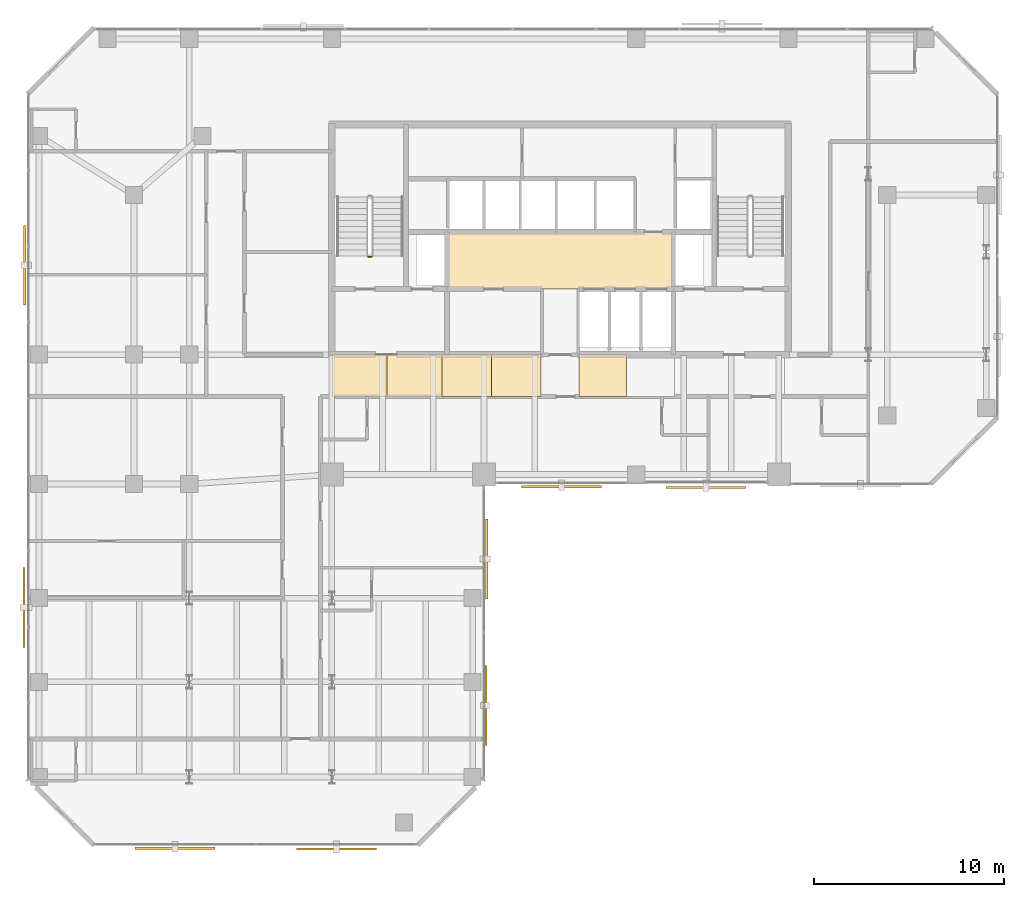
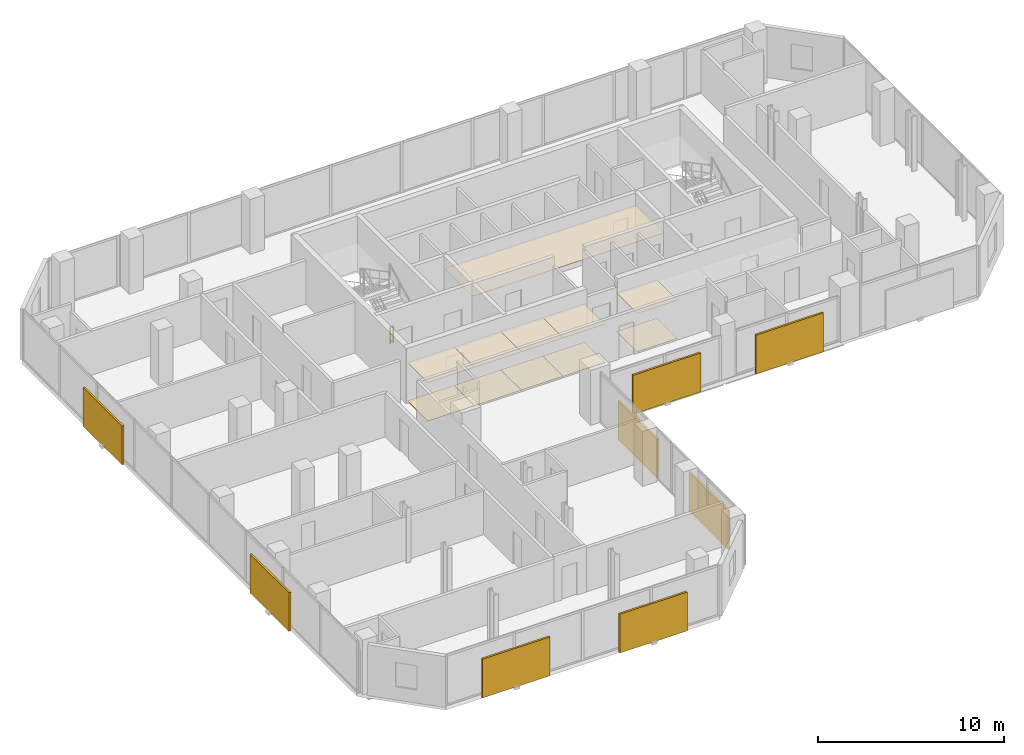
# One storey, part 32 of 33: 11 coverings, 8 shading devices, 1 railing.
"""IFC4 building model written with IfcOpenShell, lengths in metres."""

from ifc_helpers import new_model, si_unit, direction, frame, origin, origin_2d, place, context, subcontext, project, spatial, polyline, rectangle, circle, outline, extrude, material, layer, layer_set, type_object, element, save


model = new_model("IFC4")

# Units and contexts
model_context = context("Model", 3, precision=1e-05, world=origin(), true_north=direction((0.0, 1.0)))
body_context = subcontext(model_context, "Body", "Model", "MODEL_VIEW")
ifc_project = project(units=[si_unit("LENGTHUNIT", "METRE"), si_unit("AREAUNIT", "SQUARE_METRE"), si_unit("VOLUMEUNIT", "CUBIC_METRE"), si_unit("PLANEANGLEUNIT", "RADIAN"), si_unit("MASSUNIT", "GRAM", prefix="KILO")], contexts=[model_context])

# Site, building, storey
site_placement = place(None, origin())
site = spatial("IfcSite", under=ifc_project, at=site_placement, CompositionType="ELEMENT")
building_placement = place(site_placement, origin())
building = spatial("IfcBuilding", under=site, at=building_placement, Name="Catumbela Crestline Tower", CompositionType="ELEMENT")
storey_placement = place(building_placement, frame((0.0, 0.0, 104.4)))
storey = spatial("IfcBuildingStorey", under=building, at=storey_placement, Name="L26", CompositionType="ELEMENT", Elevation=104.4)

# Coverings
ifc_material_1 = material(Name="Mineral-fibre acoustic ceiling")
ifc_layer_1 = layer(ifc_material_1, 0.03, Name="Mineral-fibre acoustic ceiling")
ifc_layer_set_1 = layer_set([ifc_layer_1], Name="Mineral-fibre acoustic ceiling")
covering_type_1 = type_object("IfcCoveringType", Name="CC-AC", PredefinedType="CEILING", material=ifc_layer_set_1)
covering_1_placement = place(storey_placement, frame((0.0, 0.0, 2.65)))
element("IfcCovering", 1, at=covering_1_placement, inside=storey, type_object=covering_type_1, Name="L26 Lift Lobby Acoustic Ceiling", PredefinedType="CEILING", context=body_context, shape_type="SweptSolid", body=[
    extrude(outline(polyline([(22.05, 34.25), (33.95, 34.25), (33.95, 37.25), (22.05, 37.25), (22.05, 34.25)])), origin(), (0.0, 0.0, 1.0), 0.03),
])
covering_2_placement = place(storey_placement, frame((0.0, 0.0, 2.52)))
element("IfcCovering", 2, at=covering_2_placement, inside=storey, type_object=covering_type_1, Name="L26 Corridor Acoustic Ceiling Bay 1", PredefinedType="CEILING", context=body_context, shape_type="SweptSolid", body=[
    extrude(outline(polyline([(16.0, 28.6), (18.9, 28.6), (18.9, 30.8), (16.0, 30.8), (16.0, 28.6)])), origin(), (0.0, 0.0, 1.0), 0.03),
])
covering_3_placement = place(storey_placement, frame((0.0, 0.0, 2.52)))
element("IfcCovering", 3, at=covering_3_placement, inside=storey, type_object=covering_type_1, Name="L26 Corridor Acoustic Ceiling Bay 2", PredefinedType="CEILING", context=body_context, shape_type="SweptSolid", body=[
    extrude(outline(polyline([(18.9, 28.6), (21.8, 28.6), (21.8, 30.8), (18.9, 30.8), (18.9, 28.6)])), origin(), (0.0, 0.0, 1.0), 0.03),
])
covering_4_placement = place(storey_placement, frame((0.0, 0.0, 2.52)))
element("IfcCovering", 4, at=covering_4_placement, inside=storey, type_object=covering_type_1, Name="L26 Corridor Acoustic Ceiling Bay 3", PredefinedType="CEILING", context=body_context, shape_type="SweptSolid", body=[
    extrude(outline(polyline([(21.8, 28.6), (24.4, 28.6), (24.4, 30.8), (21.8, 30.8), (21.8, 28.6)])), origin(), (0.0, 0.0, 1.0), 0.03),
])
covering_5_placement = place(storey_placement, frame((0.0, 0.0, 2.52)))
element("IfcCovering", 5, at=covering_5_placement, inside=storey, type_object=covering_type_1, Name="L26 Corridor Acoustic Ceiling Bay 4", PredefinedType="CEILING", context=body_context, shape_type="SweptSolid", body=[
    extrude(outline(polyline([(24.4, 28.6), (27.0, 28.6), (27.0, 30.8), (24.4, 30.8), (24.4, 28.6)])), origin(), (0.0, 0.0, 1.0), 0.03),
])
covering_6_placement = place(storey_placement, frame((0.0, 0.0, 2.52)))
element("IfcCovering", 6, at=covering_6_placement, inside=storey, type_object=covering_type_1, Name="L26 Corridor Acoustic Ceiling Bay 5", PredefinedType="CEILING", context=body_context, shape_type="SweptSolid", body=[
    extrude(outline(polyline([(29.0, 28.6), (31.5, 28.6), (31.5, 30.8), (29.0, 30.8), (29.0, 28.6)])), origin(), (0.0, 0.0, 1.0), 0.03),
])
ifc_material_2 = material(Name="Angolan grey-ochre granite", Category="masonry")
ifc_layer_2 = layer(ifc_material_2, 0.025, Name="Angolan grey-ochre granite")
ifc_layer_set_2 = layer_set([ifc_layer_2], Name="Angolan grey-ochre granite")
covering_type_2 = type_object("IfcCoveringType", Name="CF-GR", PredefinedType="FLOORING", material=ifc_layer_set_2)
covering_7_placement = place(storey_placement, origin())
element("IfcCovering", 7, at=covering_7_placement, inside=storey, type_object=covering_type_2, Name="L26 Corridor Granite Flooring Bay 1", PredefinedType="FLOORING", context=body_context, shape_type="SweptSolid", body=[
    extrude(outline(polyline([(16.0, 28.6), (18.9, 28.6), (18.9, 30.8), (16.0, 30.8), (16.0, 28.6)])), origin(), (0.0, 0.0, 1.0), 0.025),
])
covering_8_placement = place(storey_placement, origin())
element("IfcCovering", 8, at=covering_8_placement, inside=storey, type_object=covering_type_2, Name="L26 Corridor Granite Flooring Bay 2", PredefinedType="FLOORING", context=body_context, shape_type="SweptSolid", body=[
    extrude(outline(polyline([(18.9, 28.6), (21.8, 28.6), (21.8, 30.8), (18.9, 30.8), (18.9, 28.6)])), origin(), (0.0, 0.0, 1.0), 0.025),
])
covering_9_placement = place(storey_placement, origin())
element("IfcCovering", 9, at=covering_9_placement, inside=storey, type_object=covering_type_2, Name="L26 Corridor Granite Flooring Bay 3", PredefinedType="FLOORING", context=body_context, shape_type="SweptSolid", body=[
    extrude(outline(polyline([(21.8, 28.6), (24.4, 28.6), (24.4, 30.8), (21.8, 30.8), (21.8, 28.6)])), origin(), (0.0, 0.0, 1.0), 0.025),
])
covering_10_placement = place(storey_placement, origin())
element("IfcCovering", 10, at=covering_10_placement, inside=storey, type_object=covering_type_2, Name="L26 Corridor Granite Flooring Bay 4", PredefinedType="FLOORING", context=body_context, shape_type="SweptSolid", body=[
    extrude(outline(polyline([(24.4, 28.6), (27.0, 28.6), (27.0, 30.8), (24.4, 30.8), (24.4, 28.6)])), origin(), (0.0, 0.0, 1.0), 0.025),
])
covering_11_placement = place(storey_placement, origin())
element("IfcCovering", 11, at=covering_11_placement, inside=storey, type_object=covering_type_2, Name="L26 Corridor Granite Flooring Bay 5", PredefinedType="FLOORING", context=body_context, shape_type="SweptSolid", body=[
    extrude(outline(polyline([(29.0, 28.6), (31.5, 28.6), (31.5, 30.8), (29.0, 30.8), (29.0, 28.6)])), origin(), (0.0, 0.0, 1.0), 0.025),
])

# Railing
ifc_material_3 = material(Name="Stainless steel EN 1.4401", Category="steel")
railing_type = type_object("IfcRailingType", Name="RG-1100", PredefinedType="GUARDRAIL", material=ifc_material_3)
railing_placement = place(storey_placement, frame((18.09, 35.95, 0.0)))
element("IfcRailing", 12, at=railing_placement, inside=storey, type_object=railing_type, Name="L26 ST-01 stair guard 4", PredefinedType="GUARDRAIL", context=body_context, shape_type="SweptSolid", body=[
    extrude(circle(Radius=0.024, at=origin_2d()), frame((0.0, 0.0, 1.076), z_axis=(-1.0, 0.0, 0.0), x_axis=(0.0, -1.0, 0.0)), (0.0, 0.0, 1.0), 0.18),
    extrude(circle(Radius=0.0156, at=origin_2d()), frame((0.0, 0.0, 0.55), z_axis=(-1.0, 0.0, 0.0), x_axis=(0.0, -1.0, 0.0)), (0.0, 0.0, 1.0), 0.18),
    extrude(circle(Radius=0.0156, at=origin_2d()), frame((0.0, 0.0, 0.12), z_axis=(-1.0, 0.0, 0.0), x_axis=(0.0, -1.0, 0.0)), (0.0, 0.0, 1.0), 0.18),
    extrude(circle(Radius=0.021, at=origin_2d()), origin(), (0.0, 0.0, 1.0), 1.052),
    extrude(circle(Radius=0.021, at=origin_2d()), frame((-0.18, 0.0, 0.0)), (0.0, 0.0, 1.0), 1.052),
])

# Shading devices
ifc_material_4 = material(Name="Extruded terracotta ceramic", Category="masonry")
shading_device_type_1 = type_object("IfcShadingDeviceType", Name="ST-180", PredefinedType="USERDEFINED", material=ifc_material_4)
shading_device_placement = place(storey_placement, frame((24.099, 12.35, -0.1), z_axis=(0.0, 0.0, 1.0), x_axis=(0.0, 1.0, 0.0)))
element("IfcShadingDevice", 13, at=shading_device_placement, inside=storey, type_object=shading_device_type_1, Name="L26 Perforated Terracotta Solar Screen 265 (180 mm)", ObjectType="SCREEN", PredefinedType="USERDEFINED", context=body_context, shape_type="SweptSolid", body=[
    extrude(rectangle(XDim=4.2, YDim=0.12, at=origin_2d()), origin(), (0.0, 0.0, 1.0), 2.55),
])
shading_device_type_2 = type_object("IfcShadingDeviceType", Name="ST-260", PredefinedType="USERDEFINED", material=ifc_material_4)
for number, where, z_axis, x_axis, name in (
    (14, (7.75, 4.857, -0.1), (0.0, 0.0, 1.0), (1.0, 0.0, 0.0), "L26 Perforated Terracotta Solar Screen 263 (260 mm)"),
    (15, (24.143, 20.05, -0.1), (0.0, 0.0, 1.0), (0.0, 1.0, 0.0), "L26 Perforated Terracotta Solar Screen 266 (260 mm)"),
    (16, (28.075, 23.857, -0.1), (0.0, 0.0, 1.0), (1.0, 0.0, 0.0), "L26 Perforated Terracotta Solar Screen 267 (260 mm)"),
    (17, (-0.143, 35.5, -0.1), (0.0, 0.0, 1.0), (0.0, -1.0, 0.0), "L26 Perforated Terracotta Solar Screen 274 (260 mm)"),
):
    element("IfcShadingDevice", number, at=place(storey_placement, frame(where, z_axis=z_axis, x_axis=x_axis)), inside=storey, type_object=shading_device_type_2, Name=name, ObjectType="SCREEN", PredefinedType="USERDEFINED", context=body_context, shape_type="SweptSolid", body=[
        extrude(rectangle(XDim=4.2, YDim=0.12, at=origin_2d()), origin(), (0.0, 0.0, 1.0), 2.55),
    ])
shading_device_type_3 = type_object("IfcShadingDeviceType", Name="ST-340", PredefinedType="USERDEFINED", material=ifc_material_4)
for number, where, z_axis, x_axis, name in (
    (18, (16.25, 4.813, -0.1), (0.0, 0.0, 1.0), (1.0, 0.0, 0.0), "L26 Perforated Terracotta Solar Screen 264 (340 mm)"),
    (19, (35.675, 23.813, -0.1), (0.0, 0.0, 1.0), (1.0, 0.0, 0.0), "L26 Perforated Terracotta Solar Screen 268 (340 mm)"),
    (20, (-0.187, 17.5, -0.1), (0.0, 0.0, 1.0), (0.0, -1.0, 0.0), "L26 Perforated Terracotta Solar Screen 275 (340 mm)"),
):
    element("IfcShadingDevice", number, at=place(storey_placement, frame(where, z_axis=z_axis, x_axis=x_axis)), inside=storey, type_object=shading_device_type_3, Name=name, ObjectType="SCREEN", PredefinedType="USERDEFINED", context=body_context, shape_type="SweptSolid", body=[
        extrude(rectangle(XDim=4.2, YDim=0.12, at=origin_2d()), origin(), (0.0, 0.0, 1.0), 2.55),
    ])

save(model, "model.ifc")
